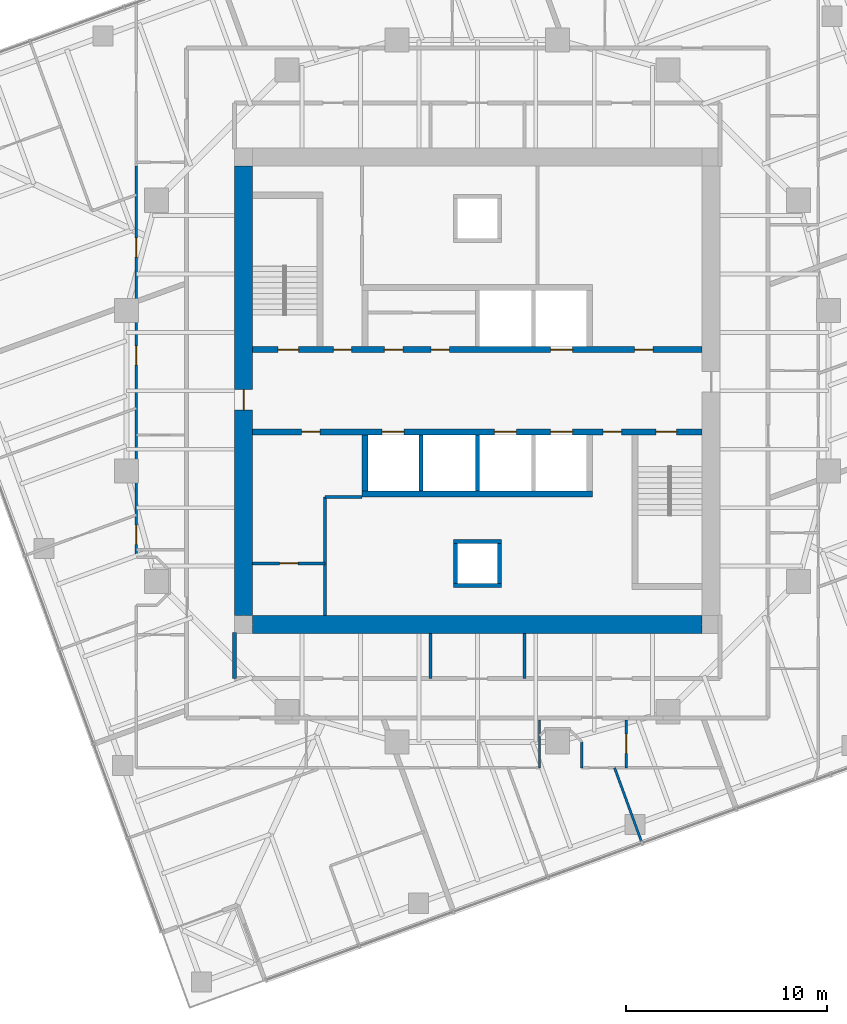
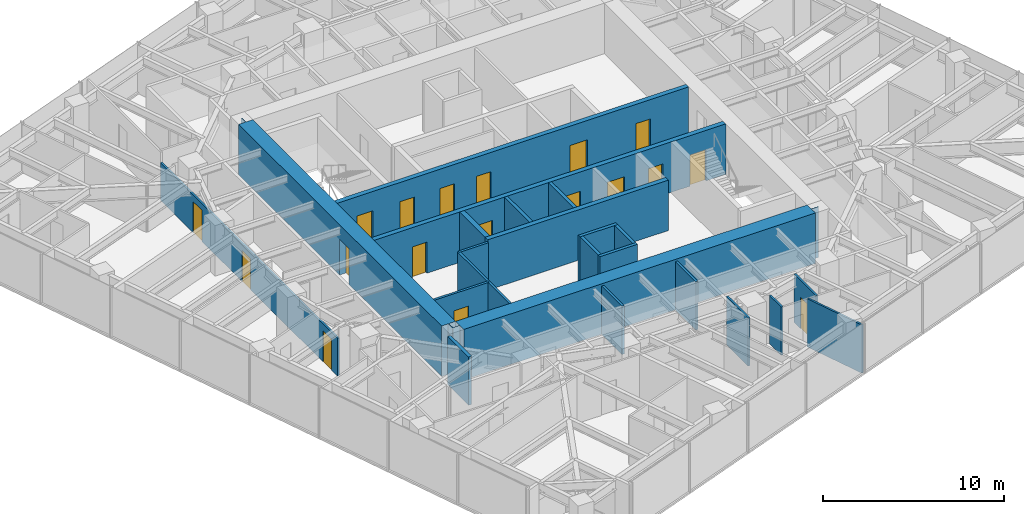
# One storey, part 8 of 13: 23 walls, 18 doors, 18 openings.
"""IFC4 building model written with IfcOpenShell, lengths in metres."""

from ifc_helpers import new_model, si_unit, direction, frame, frame_2d, origin, place, context, subcontext, project, spatial, polyline, rectangle, outline, extrude, material, layer, layer_set, type_object, element, fill, save


model = new_model("IFC4")

# Units and contexts
model_context = context("Model", 3, precision=1e-05, world=origin(), true_north=direction((0.0, 1.0)))
body_context = subcontext(model_context, "Body", "Model", "MODEL_VIEW")
ifc_project = project(units=[si_unit("LENGTHUNIT", "METRE"), si_unit("AREAUNIT", "SQUARE_METRE"), si_unit("VOLUMEUNIT", "CUBIC_METRE"), si_unit("PLANEANGLEUNIT", "RADIAN"), si_unit("MASSUNIT", "GRAM", prefix="KILO")], contexts=[model_context])

# Site, building, storey
site_placement = place(None, origin())
site = spatial("IfcSite", under=ifc_project, at=site_placement, CompositionType="ELEMENT")
building_placement = place(site_placement, origin())
building = spatial("IfcBuilding", under=site, at=building_placement, Name="Torsade Residences", CompositionType="ELEMENT")
storey_placement = place(building_placement, frame((0.0, 0.0, 154.0)))
storey = spatial("IfcBuildingStorey", under=building, at=storey_placement, Name="L42", CompositionType="ELEMENT", Elevation=154.0)

# Wall, openings, doors
ifc_material_1 = material(Name="Concrete 80 MPa", Category="concrete")
ifc_layer_1 = layer(ifc_material_1, 0.300048828125)
ifc_layer_set_1 = layer_set([ifc_layer_1], Name="Concrete 80 MPa")
wall_type_1 = type_object("IfcWallType", Name="CORE INTERNAL WALL 300", PredefinedType="SHEAR", material=ifc_layer_set_1)
wall_1_placement = place(storey_placement, frame((28.800048828125, 32.050048828125, 0.0), z_axis=(0.0, 0.0, 1.0), x_axis=(1.0, 0.0, 0.0)))
wall_1 = element("IfcWall", 1, at=wall_1_placement, inside=storey, type_object=wall_type_1, Name="Core wall LN L42", PredefinedType="SHEAR", context=body_context, shape_type="SweptSolid", body=[
    extrude(rectangle(XDim=22.39990234375, YDim=0.300048828125, at=frame_2d((11.199951171875, 0.0))), origin(), (0.0, 0.0, 1.0), 3.39990234375),
])
opening_1_placement = place(wall_1_placement, frame((19.0400390625, 0.0, 0.0)))
opening_1 = element("IfcOpeningElement", 2, at=opening_1_placement, cuts=wall_1, Name="Opening D06", PredefinedType="OPENING", context=body_context, shape_type="SweptSolid", body=[
    extrude(rectangle(XDim=0.919921875, YDim=2.10009765625, at=frame_2d((0.4599609375, 1.050048828125))), frame((0.0, 0.159912109375, 0.0), z_axis=(0.0, -1.0, 0.0), x_axis=(1.0, 0.0, 0.0)), (0.0, 0.0, 1.0), 0.320068359375),
])
opening_2_placement = place(wall_1_placement, frame((1.264892578125, 0.0, 0.0)))
opening_2 = element("IfcOpeningElement", 3, at=opening_2_placement, cuts=wall_1, Name="Opening D03", PredefinedType="OPENING", context=body_context, shape_type="SweptSolid", body=[
    extrude(rectangle(XDim=1.02001953125, YDim=2.10009765625, at=frame_2d((0.510009765625, 1.050048828125))), frame((0.0, 0.159912109375, 0.0), z_axis=(0.0, -1.0, 0.0), x_axis=(1.0, 0.0, 0.0)), (0.0, 0.0, 1.0), 0.320068359375),
])
opening_3_placement = place(wall_1_placement, frame((4.014892578125, 0.0, 0.0)))
opening_3 = element("IfcOpeningElement", 4, at=opening_3_placement, cuts=wall_1, Name="Opening D06", PredefinedType="OPENING", context=body_context, shape_type="SweptSolid", body=[
    extrude(rectangle(XDim=0.919921875, YDim=2.10009765625, at=frame_2d((0.4599609375, 1.050048828125))), frame((0.0, 0.159912109375, 0.0), z_axis=(0.0, -1.0, 0.0), x_axis=(1.0, 0.0, 0.0)), (0.0, 0.0, 1.0), 0.320068359375),
])
opening_4_placement = place(wall_1_placement, frame((6.56494140625, 0.0, 0.0)))
opening_4 = element("IfcOpeningElement", 5, at=opening_4_placement, cuts=wall_1, Name="Opening D06", PredefinedType="OPENING", context=body_context, shape_type="SweptSolid", body=[
    extrude(rectangle(XDim=0.919921875, YDim=2.10009765625, at=frame_2d((0.4599609375, 1.050048828125))), frame((0.0, 0.159912109375, 0.0), z_axis=(0.0, -1.0, 0.0), x_axis=(1.0, 0.0, 0.0)), (0.0, 0.0, 1.0), 0.320068359375),
])
opening_5_placement = place(wall_1_placement, frame((8.889892578125, 0.0, 0.0)))
opening_5 = element("IfcOpeningElement", 6, at=opening_5_placement, cuts=wall_1, Name="Opening D06", PredefinedType="OPENING", context=body_context, shape_type="SweptSolid", body=[
    extrude(rectangle(XDim=0.919921875, YDim=2.10009765625, at=frame_2d((0.4599609375, 1.050048828125))), frame((0.0, 0.159912109375, 0.0), z_axis=(0.0, -1.0, 0.0), x_axis=(1.0, 0.0, 0.0)), (0.0, 0.0, 1.0), 0.320068359375),
])
opening_6_placement = place(wall_1_placement, frame((14.85009765625, 0.0, 0.0)))
opening_6 = element("IfcOpeningElement", 7, at=opening_6_placement, cuts=wall_1, Name="Opening LD", PredefinedType="OPENING", context=body_context, shape_type="SweptSolid", body=[
    extrude(rectangle(XDim=1.10009765625, YDim=2.10009765625, at=frame_2d((0.550048828125, 1.050048828125))), frame((0.0, 0.159912109375, 0.0), z_axis=(0.0, -1.0, 0.0), x_axis=(1.0, 0.0, 0.0)), (0.0, 0.0, 1.0), 0.320068359375),
])
ifc_material_2 = material(Name="Steel-framed fire door", Category="steel")
door_type_1 = type_object("IfcDoorType", Name="FIRE DOOR 1020", OperationType="NOTDEFINED", PredefinedType="DOOR", material=ifc_material_2)
door_1_placement = place(opening_2_placement, origin())
door_1 = element("IfcDoor", 8, at=door_1_placement, inside=storey, type_object=door_type_1, Name="Exit door to fire-isolated stair ST1 L42", OperationType="SINGLE_SWING_RIGHT", OverallHeight=2.10009765625, OverallWidth=1.02001953125, PredefinedType="DOOR", context=body_context, shape_type="SweptSolid", body=[
    extrude(rectangle(XDim=1.02001953125, YDim=2.10009765625, at=frame_2d((0.510009765625, 1.050048828125))), frame((0.0, 0.02490234375, 0.0), z_axis=(0.0, -1.0, 0.0), x_axis=(1.0, 0.0, 0.0)), (0.0, 0.0, 1.0), 0.050048828125),
])
fill(opening_2, door_1)
ifc_material_3 = material(Name="Steel-framed fire door", Category="steel")
door_type_2 = type_object("IfcDoorType", Name="FIRE DOOR 920", OperationType="NOTDEFINED", PredefinedType="DOOR", material=ifc_material_3)
door_2_placement = place(opening_1_placement, origin())
door_2 = element("IfcDoor", 9, at=door_2_placement, inside=storey, type_object=door_type_2, Name="Door Lift lobby to Refuse room", OperationType="SINGLE_SWING_LEFT", OverallHeight=2.10009765625, OverallWidth=0.919921875, PredefinedType="DOOR", context=body_context, shape_type="SweptSolid", body=[
    extrude(rectangle(XDim=0.919921875, YDim=2.10009765625, at=frame_2d((0.4599609375, 1.050048828125))), frame((0.0, 0.02490234375, 0.0), z_axis=(0.0, -1.0, 0.0), x_axis=(1.0, 0.0, 0.0)), (0.0, 0.0, 1.0), 0.050048828125),
])
fill(opening_1, door_2)
door_3_placement = place(opening_3_placement, origin())
door_3 = element("IfcDoor", 10, at=door_3_placement, inside=storey, type_object=door_type_2, Name="Door Lift lobby to Meter store", OperationType="SINGLE_SWING_LEFT", OverallHeight=2.10009765625, OverallWidth=0.919921875, PredefinedType="DOOR", context=body_context, shape_type="SweptSolid", body=[
    extrude(rectangle(XDim=0.919921875, YDim=2.10009765625, at=frame_2d((0.4599609375, 1.050048828125))), frame((0.0, 0.02490234375, 0.0), z_axis=(0.0, -1.0, 0.0), x_axis=(1.0, 0.0, 0.0)), (0.0, 0.0, 1.0), 0.050048828125),
])
fill(opening_3, door_3)
door_4_placement = place(opening_4_placement, origin())
door_4 = element("IfcDoor", 11, at=door_4_placement, inside=storey, type_object=door_type_2, Name="Door Lift lobby to Linen store L42A", OperationType="SINGLE_SWING_RIGHT", OverallHeight=2.10009765625, OverallWidth=0.919921875, PredefinedType="DOOR", context=body_context, shape_type="SweptSolid", body=[
    extrude(rectangle(XDim=0.919921875, YDim=2.10009765625, at=frame_2d((0.4599609375, 1.050048828125))), frame((0.0, 0.02490234375, 0.0), z_axis=(0.0, -1.0, 0.0), x_axis=(1.0, 0.0, 0.0)), (0.0, 0.0, 1.0), 0.050048828125),
])
fill(opening_4, door_4)
door_5_placement = place(opening_5_placement, origin())
door_5 = element("IfcDoor", 12, at=door_5_placement, inside=storey, type_object=door_type_2, Name="Door Lift lobby to Linen store L42A", OperationType="SINGLE_SWING_LEFT", OverallHeight=2.10009765625, OverallWidth=0.919921875, PredefinedType="DOOR", context=body_context, shape_type="SweptSolid", body=[
    extrude(rectangle(XDim=0.919921875, YDim=2.10009765625, at=frame_2d((0.4599609375, 1.050048828125))), frame((0.0, 0.02490234375, 0.0), z_axis=(0.0, -1.0, 0.0), x_axis=(1.0, 0.0, 0.0)), (0.0, 0.0, 1.0), 0.050048828125),
])
fill(opening_5, door_5)
ifc_material_4 = material(Name="Stainless steel lift landing door", Category="steel")
door_type_3 = type_object("IfcDoorType", Name="LIFT LANDING DOOR 1100", OperationType="SLIDING_TO_LEFT", PredefinedType="DOOR", material=ifc_material_4)
door_6_placement = place(opening_6_placement, origin())
door_6 = element("IfcDoor", 13, at=door_6_placement, inside=storey, type_object=door_type_3, Name="Lift FL1 landing door L42", OperationType="SLIDING_TO_LEFT", OverallHeight=2.10009765625, OverallWidth=1.10009765625, PredefinedType="DOOR", context=body_context, shape_type="SweptSolid", body=[
    extrude(rectangle(XDim=1.10009765625, YDim=2.10009765625, at=frame_2d((0.550048828125, 1.050048828125))), frame((0.0, 0.02490234375, 0.0), z_axis=(0.0, -1.0, 0.0), x_axis=(1.0, 0.0, 0.0)), (0.0, 0.0, 1.0), 0.050048828125),
])
fill(opening_6, door_6)

wall_2_placement = place(storey_placement, frame((51.199951171875, 27.949951171875, 0.0), z_axis=(0.0, 0.0, 1.0), x_axis=(-1.0, 0.0, 0.0)))
wall_2 = element("IfcWall", 14, at=wall_2_placement, inside=storey, type_object=wall_type_1, Name="Core wall LS L42", PredefinedType="SHEAR", context=body_context, shape_type="SweptSolid", body=[
    extrude(rectangle(XDim=22.39990234375, YDim=0.300048828125, at=frame_2d((11.199951171875, 0.0))), origin(), (0.0, 0.0, 1.0), 3.39990234375),
])
opening_7_placement = place(wall_2_placement, frame((19.0400390625, 0.0, 0.0)))
opening_7 = element("IfcOpeningElement", 15, at=opening_7_placement, cuts=wall_2, Name="Opening D06", PredefinedType="OPENING", context=body_context, shape_type="SweptSolid", body=[
    extrude(rectangle(XDim=0.919921875, YDim=2.10009765625, at=frame_2d((0.4599609375, 1.050048828125))), frame((0.0, 0.159912109375, 0.0), z_axis=(0.0, -1.0, 0.0), x_axis=(1.0, 0.0, 0.0)), (0.0, 0.0, 1.0), 0.320068359375),
])
opening_8_placement = place(wall_2_placement, frame((1.264892578125, 0.0, 0.0)))
opening_8 = element("IfcOpeningElement", 16, at=opening_8_placement, cuts=wall_2, Name="Opening D03", PredefinedType="OPENING", context=body_context, shape_type="SweptSolid", body=[
    extrude(rectangle(XDim=1.02001953125, YDim=2.10009765625, at=frame_2d((0.510009765625, 1.050048828125))), frame((0.0, 0.159912109375, 0.0), z_axis=(0.0, -1.0, 0.0), x_axis=(1.0, 0.0, 0.0)), (0.0, 0.0, 1.0), 0.320068359375),
])
opening_9_placement = place(wall_2_placement, frame((4.014892578125, 0.0, 0.0)))
opening_9 = element("IfcOpeningElement", 17, at=opening_9_placement, cuts=wall_2, Name="Opening D06", PredefinedType="OPENING", context=body_context, shape_type="SweptSolid", body=[
    extrude(rectangle(XDim=0.919921875, YDim=2.10009765625, at=frame_2d((0.4599609375, 1.050048828125))), frame((0.0, 0.159912109375, 0.0), z_axis=(0.0, -1.0, 0.0), x_axis=(1.0, 0.0, 0.0)), (0.0, 0.0, 1.0), 0.320068359375),
])
opening_10_placement = place(wall_2_placement, frame((6.449951171875, 0.0, 0.0)))
opening_10 = element("IfcOpeningElement", 18, at=opening_10_placement, cuts=wall_2, Name="Opening LD", PredefinedType="OPENING", context=body_context, shape_type="SweptSolid", body=[
    extrude(rectangle(XDim=1.10009765625, YDim=2.10009765625, at=frame_2d((0.550048828125, 1.050048828125))), frame((0.0, 0.159912109375, 0.0), z_axis=(0.0, -1.0, 0.0), x_axis=(1.0, 0.0, 0.0)), (0.0, 0.0, 1.0), 0.320068359375),
])
opening_11_placement = place(wall_2_placement, frame((9.25, 0.0, 0.0)))
opening_11 = element("IfcOpeningElement", 19, at=opening_11_placement, cuts=wall_2, Name="Opening LD", PredefinedType="OPENING", context=body_context, shape_type="SweptSolid", body=[
    extrude(rectangle(XDim=1.10009765625, YDim=2.10009765625, at=frame_2d((0.550048828125, 1.050048828125))), frame((0.0, 0.159912109375, 0.0), z_axis=(0.0, -1.0, 0.0), x_axis=(1.0, 0.0, 0.0)), (0.0, 0.0, 1.0), 0.320068359375),
])
opening_12_placement = place(wall_2_placement, frame((14.85009765625, 0.0, 0.0)))
opening_12 = element("IfcOpeningElement", 20, at=opening_12_placement, cuts=wall_2, Name="Opening LD", PredefinedType="OPENING", context=body_context, shape_type="SweptSolid", body=[
    extrude(rectangle(XDim=1.10009765625, YDim=2.10009765625, at=frame_2d((0.550048828125, 1.050048828125))), frame((0.0, 0.159912109375, 0.0), z_axis=(0.0, -1.0, 0.0), x_axis=(1.0, 0.0, 0.0)), (0.0, 0.0, 1.0), 0.320068359375),
])
door_7_placement = place(opening_8_placement, origin())
door_7 = element("IfcDoor", 21, at=door_7_placement, inside=storey, type_object=door_type_1, Name="Exit door to fire-isolated stair ST2 L42", OperationType="SINGLE_SWING_RIGHT", OverallHeight=2.10009765625, OverallWidth=1.02001953125, PredefinedType="DOOR", context=body_context, shape_type="SweptSolid", body=[
    extrude(rectangle(XDim=1.02001953125, YDim=2.10009765625, at=frame_2d((0.510009765625, 1.050048828125))), frame((0.0, 0.02490234375, 0.0), z_axis=(0.0, -1.0, 0.0), x_axis=(1.0, 0.0, 0.0)), (0.0, 0.0, 1.0), 0.050048828125),
])
fill(opening_8, door_7)
door_8_placement = place(opening_7_placement, origin())
door_8 = element("IfcDoor", 22, at=door_8_placement, inside=storey, type_object=door_type_2, Name="Door Lift lobby to Cleaner store", OperationType="SINGLE_SWING_LEFT", OverallHeight=2.10009765625, OverallWidth=0.919921875, PredefinedType="DOOR", context=body_context, shape_type="SweptSolid", body=[
    extrude(rectangle(XDim=0.919921875, YDim=2.10009765625, at=frame_2d((0.4599609375, 1.050048828125))), frame((0.0, 0.02490234375, 0.0), z_axis=(0.0, -1.0, 0.0), x_axis=(1.0, 0.0, 0.0)), (0.0, 0.0, 1.0), 0.050048828125),
])
fill(opening_7, door_8)
door_9_placement = place(opening_9_placement, origin())
door_9 = element("IfcDoor", 23, at=door_9_placement, inside=storey, type_object=door_type_2, Name="Door Lift lobby to Communications riser room", OperationType="SINGLE_SWING_RIGHT", OverallHeight=2.10009765625, OverallWidth=0.919921875, PredefinedType="DOOR", context=body_context, shape_type="SweptSolid", body=[
    extrude(rectangle(XDim=0.919921875, YDim=2.10009765625, at=frame_2d((0.4599609375, 1.050048828125))), frame((0.0, 0.02490234375, 0.0), z_axis=(0.0, -1.0, 0.0), x_axis=(1.0, 0.0, 0.0)), (0.0, 0.0, 1.0), 0.050048828125),
])
fill(opening_9, door_9)
door_10_placement = place(opening_10_placement, origin())
door_10 = element("IfcDoor", 24, at=door_10_placement, inside=storey, type_object=door_type_3, Name="Lift LB1 landing door L42", OperationType="SLIDING_TO_LEFT", OverallHeight=2.10009765625, OverallWidth=1.10009765625, PredefinedType="DOOR", context=body_context, shape_type="SweptSolid", body=[
    extrude(rectangle(XDim=1.10009765625, YDim=2.10009765625, at=frame_2d((0.550048828125, 1.050048828125))), frame((0.0, 0.02490234375, 0.0), z_axis=(0.0, -1.0, 0.0), x_axis=(1.0, 0.0, 0.0)), (0.0, 0.0, 1.0), 0.050048828125),
])
fill(opening_10, door_10)
door_11_placement = place(opening_11_placement, origin())
door_11 = element("IfcDoor", 25, at=door_11_placement, inside=storey, type_object=door_type_3, Name="Lift LB2 landing door L42", OperationType="SLIDING_TO_LEFT", OverallHeight=2.10009765625, OverallWidth=1.10009765625, PredefinedType="DOOR", context=body_context, shape_type="SweptSolid", body=[
    extrude(rectangle(XDim=1.10009765625, YDim=2.10009765625, at=frame_2d((0.550048828125, 1.050048828125))), frame((0.0, 0.02490234375, 0.0), z_axis=(0.0, -1.0, 0.0), x_axis=(1.0, 0.0, 0.0)), (0.0, 0.0, 1.0), 0.050048828125),
])
fill(opening_11, door_11)
door_12_placement = place(opening_12_placement, origin())
door_12 = element("IfcDoor", 26, at=door_12_placement, inside=storey, type_object=door_type_3, Name="Lift FL2 landing door L42", OperationType="SLIDING_TO_LEFT", OverallHeight=2.10009765625, OverallWidth=1.10009765625, PredefinedType="DOOR", context=body_context, shape_type="SweptSolid", body=[
    extrude(rectangle(XDim=1.10009765625, YDim=2.10009765625, at=frame_2d((0.550048828125, 1.050048828125))), frame((0.0, 0.02490234375, 0.0), z_axis=(0.0, -1.0, 0.0), x_axis=(1.0, 0.0, 0.0)), (0.0, 0.0, 1.0), 0.050048828125),
])
fill(opening_12, door_12)

# Walls
wall_3_placement = place(storey_placement, frame((45.75, 24.85009765625, 0.0), z_axis=(0.0, 0.0, 1.0), x_axis=(-1.0, 0.0, 0.0)))
element("IfcWall", 27, at=wall_3_placement, inside=storey, type_object=wall_type_1, Name="Core wall BS L42", PredefinedType="SHEAR", context=body_context, shape_type="SweptSolid", body=[
    extrude(rectangle(XDim=11.5, YDim=0.300048828125, at=frame_2d((5.75, 0.0))), origin(), (0.0, 0.0, 1.0), 3.39990234375),
])
wall_4_placement = place(storey_placement, frame((34.39990234375, 27.800048828125, 0.0), z_axis=(0.0, 0.0, 1.0), x_axis=(0.0, -1.0, 0.0)))
element("IfcWall", 28, at=wall_4_placement, inside=storey, type_object=wall_type_1, Name="Core wall DS4 L42", PredefinedType="SHEAR", context=body_context, shape_type="SweptSolid", body=[
    extrude(rectangle(XDim=2.800048828125, YDim=0.300048828125, at=frame_2d((1.39990234375, 0.0))), origin(), (0.0, 0.0, 1.0), 3.39990234375),
])
ifc_material_5 = material(Name="Concrete 80 MPa", Category="concrete")
ifc_layer_2 = layer(ifc_material_5, 0.89990234375)
ifc_layer_set_2 = layer_set([ifc_layer_2], Name="Concrete 80 MPa")
wall_type_2 = type_object("IfcWallType", Name="CORE WALL 900", PredefinedType="SHEAR", material=ifc_layer_set_2)
wall_5_placement = place(storey_placement, frame((51.199951171875, 18.35009765625, 0.0), z_axis=(0.0, 0.0, 1.0), x_axis=(-1.0, 0.0, 0.0)))
element("IfcWall", 29, at=wall_5_placement, inside=storey, type_object=wall_type_2, Name="Core wall S L42", PredefinedType="SHEAR", context=body_context, shape_type="SweptSolid", body=[
    extrude(outline(polyline([(0.0, -0.449951171875), (22.39990234375, -0.449951171875), (22.39990234375, -0.02490234375), (22.849853515625, -0.02490234375), (22.849853515625, 0.02490234375), (22.39990234375, 0.02490234375), (22.39990234375, 0.449951171875), (0.0, 0.449951171875), (0.0, 0.02490234375), (-0.449951171875, 0.02490234375), (-0.449951171875, -0.02490234375), (0.0, -0.02490234375), (0.0, -0.449951171875)])), origin(), (0.0, 0.0, 1.0), 3.39990234375),
])

# Wall, opening, door
wall_6_placement = place(storey_placement, frame((28.35009765625, 41.199951171875, 0.0), z_axis=(0.0, 0.0, 1.0), x_axis=(0.0, -1.0, 0.0)))
wall_6 = element("IfcWall", 30, at=wall_6_placement, inside=storey, type_object=wall_type_2, Name="Core wall W L42", PredefinedType="SHEAR", context=body_context, shape_type="SweptSolid", body=[
    extrude(outline(polyline([(0.0, -0.449951171875), (22.39990234375, -0.449951171875), (22.39990234375, -0.02490234375), (22.849853515625, -0.02490234375), (22.849853515625, 0.02490234375), (22.39990234375, 0.02490234375), (22.39990234375, 0.449951171875), (0.0, 0.449951171875), (0.0, 0.02490234375), (-0.449951171875, 0.02490234375), (-0.449951171875, -0.02490234375), (0.0, -0.02490234375), (0.0, -0.449951171875)])), origin(), (0.0, 0.0, 1.0), 3.39990234375),
])
opening_13_placement = place(wall_6_placement, frame((11.139892578125, 0.0, 0.0)))
opening_13 = element("IfcOpeningElement", 31, at=opening_13_placement, cuts=wall_6, Name="Opening D04", PredefinedType="OPENING", context=body_context, shape_type="SweptSolid", body=[
    extrude(rectangle(XDim=1.02001953125, YDim=2.39990234375, at=frame_2d((0.510009765625, 1.199951171875))), frame((0.0, 0.4599609375, 0.0), z_axis=(0.0, -1.0, 0.0), x_axis=(1.0, 0.0, 0.0)), (0.0, 0.0, 1.0), 0.919921875),
])
ifc_material_6 = material(Name="Steel-framed fire door", Category="steel")
door_type_4 = type_object("IfcDoorType", Name="LOBBY SMOKE DOOR 1020x2400", OperationType="NOTDEFINED", PredefinedType="DOOR", material=ifc_material_6)
door_13_placement = place(opening_13_placement, origin())
door_13 = element("IfcDoor", 32, at=door_13_placement, inside=storey, type_object=door_type_4, Name="Lift lobby door W L42", OperationType="SINGLE_SWING_RIGHT", OverallHeight=2.39990234375, OverallWidth=1.02001953125, PredefinedType="DOOR", context=body_context, shape_type="SweptSolid", body=[
    extrude(rectangle(XDim=1.02001953125, YDim=2.39990234375, at=frame_2d((0.510009765625, 1.199951171875))), frame((0.0, 0.02490234375, 0.0), z_axis=(0.0, -1.0, 0.0), x_axis=(1.0, 0.0, 0.0)), (0.0, 0.0, 1.0), 0.050048828125),
])
fill(opening_13, door_13)

# Walls
ifc_material_7 = material(Name="Plasterboard on steel stud", Category="steel")
ifc_layer_3 = layer(ifc_material_7, 0.199951171875)
ifc_layer_set_3 = layer_set([ifc_layer_3], Name="Plasterboard on steel stud")
wall_type_3 = type_object("IfcWallType", Name="CORRIDOR WALL 200", PredefinedType="PARTITIONING", material=ifc_layer_set_3)
wall_7_placement = place(storey_placement, frame((27.89990234375, 17.949951171875, 0.0), z_axis=(0.0, 0.0, 1.0), x_axis=(0.0, -1.0, 0.0)))
element("IfcWall", 33, at=wall_7_placement, inside=storey, type_object=wall_type_3, Name="Corridor wall L42", PredefinedType="PARTITIONING", context=body_context, shape_type="SweptSolid", body=[
    extrude(rectangle(XDim=2.300048828125, YDim=0.199951171875, at=frame_2d((1.14990234375, 0.0))), origin(), (0.0, 0.0, 1.0), 3.25),
])
ifc_material_8 = material(Name="Reinforced blockwork", Category="masonry")
ifc_layer_4 = layer(ifc_material_8, 0.199951171875)
ifc_layer_set_4 = layer_set([ifc_layer_4], Name="Reinforced blockwork")
wall_type_4 = type_object("IfcWallType", Name="LIFT SHAFT DIVIDING WALL 200", PredefinedType="SOLIDWALL", material=ifc_layer_set_4)
for number, where, z_axis, x_axis, name in (
    (34, (40.0, 27.800048828125, 0.0), (0.0, 0.0, 1.0), (0.0, -1.0, 0.0), "Core wall DS2 L42"),
    (35, (37.199951171875, 27.800048828125, 0.0), (0.0, 0.0, 1.0), (0.0, -1.0, 0.0), "Core wall DS3 L42"),
):
    element("IfcWall", number, at=place(storey_placement, frame(where, z_axis=z_axis, x_axis=x_axis)), inside=storey, type_object=wall_type_4, Name=name, PredefinedType="SOLIDWALL", context=body_context, shape_type="SweptSolid", body=[
        extrude(rectangle(XDim=2.800048828125, YDim=0.199951171875, at=frame_2d((1.39990234375, 0.0))), origin(), (0.0, 0.0, 1.0), 3.39990234375),
    ])

# Wall, openings, doors
ifc_material_9 = material(Name="Plasterboard on steel stud", Category="steel")
ifc_layer_5 = layer(ifc_material_9, 0.1201171875)
ifc_layer_set_5 = layer_set([ifc_layer_5], Name="Plasterboard on steel stud")
wall_type_5 = type_object("IfcWallType", Name="PARTITION 120", PredefinedType="PARTITIONING", material=ifc_layer_set_5)
wall_8_placement = place(storey_placement, frame((23.0, 21.699951171875, 0.0), z_axis=(0.0, 0.0, 1.0), x_axis=(0.0, 1.0, 0.0)))
wall_8 = element("IfcWall", 36, at=wall_8_placement, inside=storey, type_object=wall_type_5, Name="Partition L42", PredefinedType="PARTITIONING", context=body_context, shape_type="SweptSolid", body=[
    extrude(rectangle(XDim=19.51220703125, YDim=0.1201171875, at=frame_2d((9.756103515625, 0.0))), origin(), (0.0, 0.0, 1.0), 2.550048828125),
])
opening_14_placement = place(wall_8_placement, frame((14.961181640625, 0.0, 0.0)))
opening_14 = element("IfcOpeningElement", 37, at=opening_14_placement, cuts=wall_8, Name="Opening D05", PredefinedType="OPENING", context=body_context, shape_type="SweptSolid", body=[
    extrude(rectangle(XDim=0.9599609375, YDim=2.10009765625, at=frame_2d((0.47998046875, 1.050048828125))), frame((0.0, 0.070068359375, 0.0), z_axis=(0.0, -1.0, 0.0), x_axis=(1.0, 0.0, 0.0)), (0.0, 0.0, 1.0), 0.14013671875),
])
opening_15_placement = place(wall_8_placement, frame((0.64111328125, 0.0, 0.0)))
opening_15 = element("IfcOpeningElement", 38, at=opening_15_placement, cuts=wall_8, Name="Opening D05", PredefinedType="OPENING", context=body_context, shape_type="SweptSolid", body=[
    extrude(rectangle(XDim=0.9599609375, YDim=2.10009765625, at=frame_2d((0.47998046875, 1.050048828125))), frame((0.0, 0.070068359375, 0.0), z_axis=(0.0, -1.0, 0.0), x_axis=(1.0, 0.0, 0.0)), (0.0, 0.0, 1.0), 0.14013671875),
])
opening_16_placement = place(wall_8_placement, frame((9.587158203125, 0.0, 0.0)))
opening_16 = element("IfcOpeningElement", 39, at=opening_16_placement, cuts=wall_8, Name="Opening D05", PredefinedType="OPENING", context=body_context, shape_type="SweptSolid", body=[
    extrude(rectangle(XDim=0.9599609375, YDim=2.10009765625, at=frame_2d((0.47998046875, 1.050048828125))), frame((0.0, 0.070068359375, 0.0), z_axis=(0.0, -1.0, 0.0), x_axis=(1.0, 0.0, 0.0)), (0.0, 0.0, 1.0), 0.14013671875),
])
ifc_material_10 = material(Name="Hollow-core timber door in a steel cavity frame", Category="steel")
door_type_5 = type_object("IfcDoorType", Name="BATHROOM CAVITY SLIDING DOOR 960", OperationType="SLIDING_TO_LEFT", PredefinedType="DOOR", material=ifc_material_10)
door_14_placement = place(opening_14_placement, origin())
door_14 = element("IfcDoor", 40, at=door_14_placement, inside=storey, type_object=door_type_5, Name="Door Bathroom to Living room", OperationType="SLIDING_TO_LEFT", OverallHeight=2.10009765625, OverallWidth=0.9599609375, PredefinedType="DOOR", context=body_context, shape_type="SweptSolid", body=[
    extrude(rectangle(XDim=0.9599609375, YDim=2.10009765625, at=frame_2d((0.47998046875, 1.050048828125))), frame((0.0, 0.02490234375, 0.0), z_axis=(0.0, -1.0, 0.0), x_axis=(1.0, 0.0, 0.0)), (0.0, 0.0, 1.0), 0.050048828125),
])
fill(opening_14, door_14)
door_15_placement = place(opening_15_placement, origin())
door_15 = element("IfcDoor", 41, at=door_15_placement, inside=storey, type_object=door_type_5, Name="Door Bedroom 2 to Ensuite", OperationType="SLIDING_TO_LEFT", OverallHeight=2.10009765625, OverallWidth=0.9599609375, PredefinedType="DOOR", context=body_context, shape_type="SweptSolid", body=[
    extrude(rectangle(XDim=0.9599609375, YDim=2.10009765625, at=frame_2d((0.47998046875, 1.050048828125))), frame((0.0, 0.02490234375, 0.0), z_axis=(0.0, -1.0, 0.0), x_axis=(1.0, 0.0, 0.0)), (0.0, 0.0, 1.0), 0.050048828125),
])
fill(opening_15, door_15)
door_16_placement = place(opening_16_placement, origin())
door_16 = element("IfcDoor", 42, at=door_16_placement, inside=storey, type_object=door_type_5, Name="Door Bathroom to Living room", OperationType="SLIDING_TO_LEFT", OverallHeight=2.10009765625, OverallWidth=0.9599609375, PredefinedType="DOOR", context=body_context, shape_type="SweptSolid", body=[
    extrude(rectangle(XDim=0.9599609375, YDim=2.10009765625, at=frame_2d((0.47998046875, 1.050048828125))), frame((0.0, 0.02490234375, 0.0), z_axis=(0.0, -1.0, 0.0), x_axis=(1.0, 0.0, 0.0)), (0.0, 0.0, 1.0), 0.050048828125),
])
fill(opening_16, door_16)

# Walls
wall_9_placement = place(storey_placement, frame((43.097900390625, 11.199951171875, 0.0), z_axis=(0.0, 0.0, 1.0), x_axis=(0.0, 1.0, 0.0)))
element("IfcWall", 43, at=wall_9_placement, inside=storey, type_object=wall_type_5, Name="Partition L42", PredefinedType="PARTITIONING", context=body_context, shape_type="SweptSolid", body=[
    extrude(rectangle(XDim=2.400146484375, YDim=0.1201171875, at=frame_2d((1.2001953125, 0.0))), origin(), (0.0, 0.0, 1.0), 3.25),
])
wall_10_placement = place(storey_placement, frame((45.199951171875, 11.199951171875, 0.0), z_axis=(0.0, 0.0, 1.0), x_axis=(0.0, 1.0, 0.0)))
element("IfcWall", 44, at=wall_10_placement, inside=storey, type_object=wall_type_5, Name="Partition L42", PredefinedType="PARTITIONING", context=body_context, shape_type="SweptSolid", body=[
    extrude(rectangle(XDim=1.300048828125, YDim=0.1201171875, at=frame_2d((0.64990234375, 0.0))), origin(), (0.0, 0.0, 1.0), 3.25),
])

# Wall, opening, door
wall_11_placement = place(storey_placement, frame((47.416015625, 13.60009765625, 0.0), z_axis=(0.0, 0.0, 1.0), x_axis=(0.0, -1.0, 0.0)))
wall_11 = element("IfcWall", 45, at=wall_11_placement, inside=storey, type_object=wall_type_5, Name="Partition L42", PredefinedType="PARTITIONING", context=body_context, shape_type="SweptSolid", body=[
    extrude(rectangle(XDim=2.400146484375, YDim=0.1201171875, at=frame_2d((1.2001953125, 0.0))), origin(), (0.0, 0.0, 1.0), 3.25),
])
opening_17_placement = place(wall_11_placement, frame((0.719970703125, 0.0, 0.0)))
opening_17 = element("IfcOpeningElement", 46, at=opening_17_placement, cuts=wall_11, Name="Opening D05", PredefinedType="OPENING", context=body_context, shape_type="SweptSolid", body=[
    extrude(rectangle(XDim=0.9599609375, YDim=2.10009765625, at=frame_2d((0.47998046875, 1.050048828125))), frame((0.0, 0.070068359375, 0.0), z_axis=(0.0, -1.0, 0.0), x_axis=(1.0, 0.0, 0.0)), (0.0, 0.0, 1.0), 0.14013671875),
])
door_17_placement = place(opening_17_placement, origin())
door_17 = element("IfcDoor", 47, at=door_17_placement, inside=storey, type_object=door_type_5, Name="Door Kitchen and dining to WC", OperationType="SLIDING_TO_LEFT", OverallHeight=2.10009765625, OverallWidth=0.9599609375, PredefinedType="DOOR", context=body_context, shape_type="SweptSolid", body=[
    extrude(rectangle(XDim=0.9599609375, YDim=2.10009765625, at=frame_2d((0.47998046875, 1.050048828125))), frame((0.0, 0.02490234375, 0.0), z_axis=(0.0, -1.0, 0.0), x_axis=(1.0, 0.0, 0.0)), (0.0, 0.0, 1.0), 0.050048828125),
])
fill(opening_17, door_17)

# Walls
wall_12_placement = place(storey_placement, frame((46.8427734375, 11.199951171875, 0.0), z_axis=(0.0, 0.0, 1.0), x_axis=(0.341990966768, -0.939703239672, 0.0)))
element("IfcWall", 48, at=wall_12_placement, inside=storey, type_object=wall_type_5, Name="Partition L42", PredefinedType="PARTITIONING", context=body_context, shape_type="SweptSolid", body=[
    extrude(rectangle(XDim=3.953369140625, YDim=0.1201171875, at=frame_2d((1.9765625, 0.0))), origin(), (0.0, 0.0, 1.0), 3.25),
])
ifc_material_11 = material(Name="Reinforced blockwork", Category="masonry")
ifc_layer_6 = layer(ifc_material_11, 0.199951171875)
ifc_layer_set_6 = layer_set([ifc_layer_6], Name="Reinforced blockwork")
wall_type_6 = type_object("IfcWallType", Name="RISER SHAFT WALL 200", PredefinedType="SOLIDWALL", material=ifc_layer_set_6)
for number, where, z_axis, x_axis, name in (
    (49, (38.89990234375, 22.39990234375, 0.0), (0.0, 0.0, 1.0), (0.0, -1.0, 0.0), "Core wall RS2a L42"),
    (50, (41.10009765625, 22.39990234375, 0.0), (0.0, 0.0, 1.0), (0.0, -1.0, 0.0), "Core wall RS2b L42"),
):
    element("IfcWall", number, at=place(storey_placement, frame(where, z_axis=z_axis, x_axis=x_axis)), inside=storey, type_object=wall_type_6, Name=name, PredefinedType="SOLIDWALL", context=body_context, shape_type="SweptSolid", body=[
        extrude(rectangle(XDim=2.0, YDim=0.199951171875, at=frame_2d((1.0, 0.0))), origin(), (0.0, 0.0, 1.0), 3.39990234375),
    ])
for number, where, z_axis, x_axis, name in (
    (51, (38.800048828125, 22.5, 0.0), (0.0, 0.0, 1.0), (1.0, 0.0, 0.0), "Core wall RS2c L42"),
    (52, (38.800048828125, 20.300048828125, 0.0), (0.0, 0.0, 1.0), (1.0, 0.0, 0.0), "Core wall RS2d L42"),
):
    element("IfcWall", number, at=place(storey_placement, frame(where, z_axis=z_axis, x_axis=x_axis)), inside=storey, type_object=wall_type_6, Name=name, PredefinedType="SOLIDWALL", context=body_context, shape_type="SweptSolid", body=[
        extrude(rectangle(XDim=2.39990234375, YDim=0.199951171875, at=frame_2d((1.199951171875, 0.0))), origin(), (0.0, 0.0, 1.0), 3.39990234375),
    ])
ifc_material_12 = material(Name="Reinforced blockwork", Category="masonry")
ifc_layer_7 = layer(ifc_material_12, 0.14990234375)
ifc_layer_set_7 = layer_set([ifc_layer_7], Name="Reinforced blockwork")
wall_type_7 = type_object("IfcWallType", Name="SERVICE ROOM WALL 150", PredefinedType="SOLIDWALL", material=ifc_layer_set_7)
wall_13_placement = place(storey_placement, frame((32.39990234375, 18.800048828125, 0.0), z_axis=(0.0, 0.0, 1.0), x_axis=(0.0, 1.0, 0.0)))
element("IfcWall", 53, at=wall_13_placement, inside=storey, type_object=wall_type_7, Name="Service room wall L42", PredefinedType="SOLIDWALL", context=body_context, shape_type="SweptSolid", body=[
    extrude(rectangle(XDim=5.89990234375, YDim=0.14990234375, at=frame_2d((2.949951171875, 0.0))), origin(), (0.0, 0.0, 1.0), 3.25),
])
wall_14_placement = place(storey_placement, frame((32.39990234375, 24.699951171875, 0.0), z_axis=(0.0, 0.0, 1.0), x_axis=(1.0, 0.0, 0.0)))
element("IfcWall", 54, at=wall_14_placement, inside=storey, type_object=wall_type_7, Name="Service room wall L42", PredefinedType="SOLIDWALL", context=body_context, shape_type="SweptSolid", body=[
    extrude(rectangle(XDim=1.85009765625, YDim=0.14990234375, at=frame_2d((0.925048828125, 0.0))), origin(), (0.0, 0.0, 1.0), 3.25),
])

# Wall, opening, door
wall_15_placement = place(storey_placement, frame((32.39990234375, 21.39990234375, 0.0), z_axis=(0.0, 0.0, 1.0), x_axis=(-1.0, 0.0, 0.0)))
wall_15 = element("IfcWall", 55, at=wall_15_placement, inside=storey, type_object=wall_type_7, Name="Service room wall L42", PredefinedType="SOLIDWALL", context=body_context, shape_type="SweptSolid", body=[
    extrude(rectangle(XDim=3.599853515625, YDim=0.14990234375, at=frame_2d((1.7998046875, 0.0))), origin(), (0.0, 0.0, 1.0), 3.25),
])
opening_18_placement = place(wall_15_placement, frame((1.340087890625, 0.0, 0.0)))
opening_18 = element("IfcOpeningElement", 56, at=opening_18_placement, cuts=wall_15, Name="Opening D06", PredefinedType="OPENING", context=body_context, shape_type="SweptSolid", body=[
    extrude(rectangle(XDim=0.919921875, YDim=2.10009765625, at=frame_2d((0.4599609375, 1.050048828125))), frame((0.0, 0.0849609375, 0.0), z_axis=(0.0, -1.0, 0.0), x_axis=(1.0, 0.0, 0.0)), (0.0, 0.0, 1.0), 0.169921875),
])
door_18_placement = place(opening_18_placement, origin())
door_18 = element("IfcDoor", 57, at=door_18_placement, inside=storey, type_object=door_type_2, Name="Door Cleaner store to Hose reel and hydrant store", OperationType="SINGLE_SWING_LEFT", OverallHeight=2.10009765625, OverallWidth=0.919921875, PredefinedType="DOOR", context=body_context, shape_type="SweptSolid", body=[
    extrude(rectangle(XDim=0.919921875, YDim=2.10009765625, at=frame_2d((0.4599609375, 1.050048828125))), frame((0.0, 0.02490234375, 0.0), z_axis=(0.0, -1.0, 0.0), x_axis=(1.0, 0.0, 0.0)), (0.0, 0.0, 1.0), 0.050048828125),
])
fill(opening_18, door_18)

# Walls
for number, where, z_axis, x_axis, name in (
    (58, (37.652587890625, 15.64990234375, 0.0), (0.0, 0.0, 1.0), (0.0, 1.0, 0.0), "Service room wall L42"),
    (59, (42.347412109375, 15.64990234375, 0.0), (0.0, 0.0, 1.0), (0.0, 1.0, 0.0), "Service room wall L42"),
):
    element("IfcWall", number, at=place(storey_placement, frame(where, z_axis=z_axis, x_axis=x_axis)), inside=storey, type_object=wall_type_7, Name=name, PredefinedType="SOLIDWALL", context=body_context, shape_type="SweptSolid", body=[
        extrude(rectangle(XDim=2.25, YDim=0.14990234375, at=frame_2d((1.125, 0.0))), origin(), (0.0, 0.0, 1.0), 3.25),
    ])

save(model, "model.ifc")
